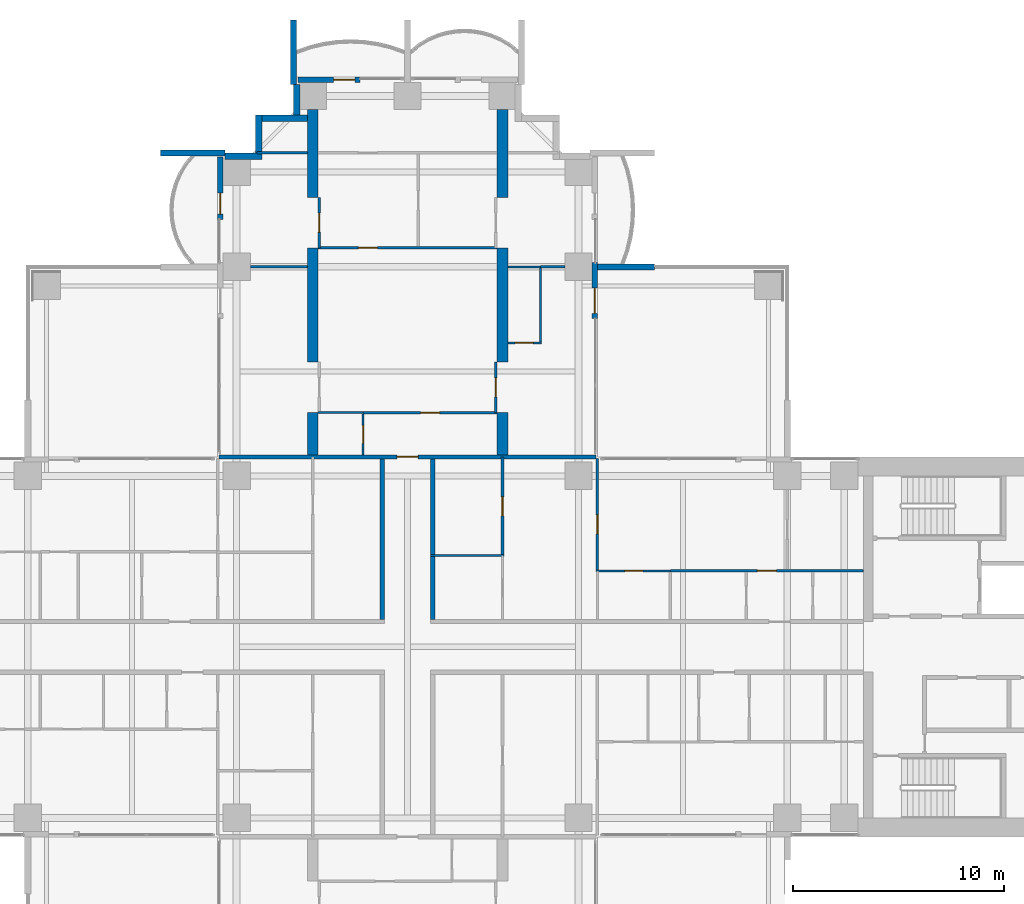
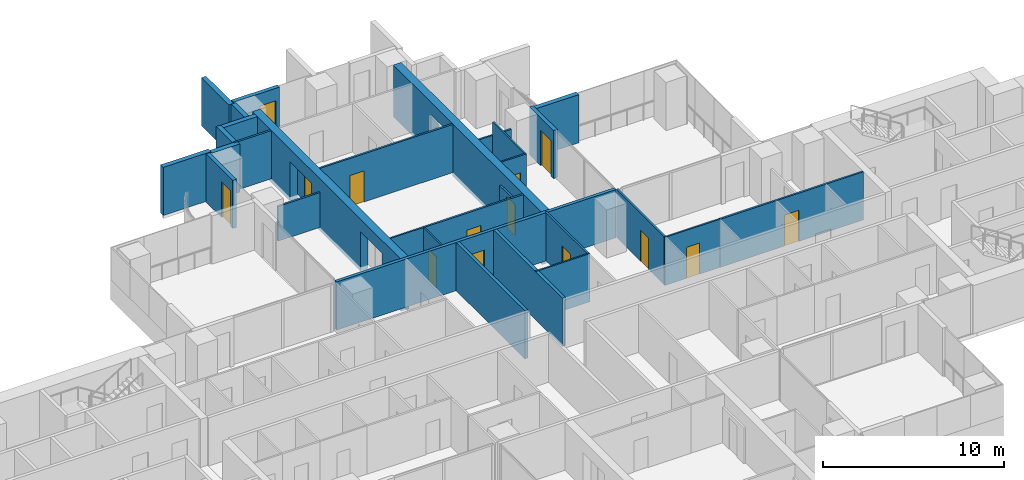
# One storey, part 14 of 20: 32 walls, 14 doors, 14 openings.
"""IFC4 building model written with IfcOpenShell, lengths in metres."""

from ifc_helpers import new_model, si_unit, direction, frame, frame_2d, origin, place, context, subcontext, project, spatial, polyline, rectangle, outline, extrude, material, layer, layer_set, material_profile, profile_set, type_object, element, fill, save


model = new_model("IFC4")

# Units and contexts
model_context = context("Model", 3, precision=1e-05, world=origin(), true_north=direction((0.0, 1.0)))
body_context = subcontext(model_context, "Body", "Model", "MODEL_VIEW")
ifc_project = project(units=[si_unit("LENGTHUNIT", "METRE"), si_unit("AREAUNIT", "SQUARE_METRE"), si_unit("VOLUMEUNIT", "CUBIC_METRE"), si_unit("PLANEANGLEUNIT", "RADIAN"), si_unit("MASSUNIT", "GRAM", prefix="KILO")], contexts=[model_context])

# Site, building, storey
site_placement = place(None, origin())
site = spatial("IfcSite", under=ifc_project, at=site_placement, CompositionType="ELEMENT")
building_placement = place(site_placement, origin())
building = spatial("IfcBuilding", under=site, at=building_placement, Name="Perihelion Cross Residences", CompositionType="ELEMENT")
storey_placement = place(building_placement, frame((0.0, 0.0, 71.5)))
storey = spatial("IfcBuildingStorey", under=building, at=storey_placement, Name="L15", CompositionType="ELEMENT", Elevation=71.5)

# Walls
ifc_material_1 = material(Name="Plasterboard partition")
ifc_layer_1 = layer(ifc_material_1, 0.199951171875)
ifc_layer_set_1 = layer_set([ifc_layer_1], Name="Apartment separation wall 200")
wall_type_1 = type_object("IfcWallType", Name="Apartment separation wall 200", PredefinedType="PARTITIONING", material=ifc_layer_set_1)
for number, where, z_axis, x_axis, name in (
    (1, (1.199951171875, 8.89990234375, 0.0), (0.0, 0.0, 1.0), (0.0, -1.0, 0.0), "Partition L15 W002"),
    (2, (-1.199951171875, 1.300048828125, 0.0), (0.0, 0.0, 1.0), (0.0, 1.0, 0.0), "Partition L15 W006"),
):
    element("IfcWall", number, at=place(storey_placement, frame(where, z_axis=z_axis, x_axis=x_axis)), inside=storey, type_object=wall_type_1, Name=name, PredefinedType="PARTITIONING", context=body_context, shape_type="SweptSolid", body=[
        extrude(rectangle(XDim=7.599853515625, YDim=0.199951171875, at=frame_2d((3.7998046875, 0.0))), origin(), (0.0, 0.0, 1.0), 3.25),
    ])

# Wall, opening, door
wall_1_placement = place(storey_placement, frame((-8.919921875, 9.0, 0.0), z_axis=(0.0, 0.0, 1.0), x_axis=(1.0, 0.0, 0.0)))
wall_1 = element("IfcWall", 3, at=wall_1_placement, inside=storey, type_object=wall_type_1, Name="Partition L15 W009", PredefinedType="PARTITIONING", context=body_context, shape_type="SweptSolid", body=[
    extrude(rectangle(XDim=17.83984375, YDim=0.199951171875, at=frame_2d((8.919921875, 0.0))), origin(), (0.0, 0.0, 1.0), 3.25),
])
opening_1_placement = place(wall_1_placement, frame((8.419921875, 0.0, 0.0)))
opening_1 = element("IfcOpeningElement", 4, at=opening_1_placement, cuts=wall_1, Name="Opening L15.A32", PredefinedType="OPENING", context=body_context, shape_type="SweptSolid", body=[
    extrude(rectangle(XDim=1.0, YDim=2.10009765625, at=frame_2d((0.5, 1.050048828125))), frame((0.0, 0.10986328125, 0.0), z_axis=(0.0, -1.0, 0.0), x_axis=(1.0, 0.0, 0.0)), (0.0, 0.0, 1.0), 0.219970703125),
])
ifc_material_2 = material(Name="Timber door leaf", Category="wood")
door_type_1 = type_object("IfcDoorType", Name="Flat entrance door 1000 x 2100", OperationType="SINGLE_SWING_LEFT", PredefinedType="DOOR", material=ifc_material_2)
door_1_placement = place(opening_1_placement, origin())
door_1 = element("IfcDoor", 5, at=door_1_placement, inside=storey, type_object=door_type_1, Name="Door L15.A32", OperationType="SINGLE_SWING_RIGHT", OverallHeight=2.10009765625, OverallWidth=1.0, PredefinedType="DOOR", context=body_context, shape_type="SweptSolid", body=[
    extrude(rectangle(XDim=1.0, YDim=2.10009765625, at=frame_2d((0.5, 1.050048828125))), frame((0.0, 0.02490234375, 0.0), z_axis=(0.0, -1.0, 0.0), x_axis=(1.0, 0.0, 0.0)), (0.0, 0.0, 1.0), 0.050048828125),
])
fill(opening_1, door_1)

ifc_material_3 = material(Name="Concrete C30/37, bronze-clad", Category="concrete")
ifc_layer_2 = layer(ifc_material_3, 0.25)
ifc_layer_set_2 = layer_set([ifc_layer_2], Name="Bronze-clad pier wall 250")
wall_type_2 = type_object("IfcWallType", Name="Bronze-clad pier wall 250", PredefinedType="SOLIDWALL", material=ifc_layer_set_2)
wall_2_placement = place(storey_placement, frame((8.875, 15.550048828125, 0.0), z_axis=(0.0, 0.0, 1.0), x_axis=(0.0, 1.0, 0.0)))
wall_2 = element("IfcWall", 6, at=wall_2_placement, inside=storey, type_object=wall_type_2, Name="Wall FW1 L15 north side east bay 1 pier", PredefinedType="SOLIDWALL", context=body_context, shape_type="SweptSolid", body=[
    extrude(rectangle(XDim=2.64990234375, YDim=0.25, at=frame_2d((1.324951171875, 0.0))), origin(), (0.0, 0.0, 1.0), 3.25),
])
opening_2_placement = place(wall_2_placement, frame((0.25, 0.0, 0.0)))
opening_2 = element("IfcOpeningElement", 7, at=opening_2_placement, cuts=wall_2, Name="Opening L15.E02", PredefinedType="OPENING", context=body_context, shape_type="SweptSolid", body=[
    extrude(rectangle(XDim=1.199951171875, YDim=2.39990234375, at=frame_2d((0.60009765625, 1.199951171875))), frame((0.0, 0.135009765625, 0.0), z_axis=(0.0, -1.0, 0.0), x_axis=(1.0, 0.0, 0.0)), (0.0, 0.0, 1.0), 0.27001953125),
])
ifc_material_4 = material(Name="Bronze anodised aluminium, glazed", Category="aluminium")
door_type_2 = type_object("IfcDoorType", Name="Balcony door 1200 x 2400", OperationType="NOTDEFINED", PredefinedType="DOOR", material=ifc_material_4)
door_2_placement = place(opening_2_placement, origin())
door_2 = element("IfcDoor", 8, at=door_2_placement, inside=storey, type_object=door_type_2, Name="Door L15.E02 north side east bay 1", OperationType="SINGLE_SWING_LEFT", OverallHeight=2.39990234375, OverallWidth=1.199951171875, PredefinedType="DOOR", context=body_context, shape_type="SweptSolid", body=[
    extrude(rectangle(XDim=1.199951171875, YDim=2.39990234375, at=frame_2d((0.60009765625, 1.199951171875))), frame((0.0, 0.02490234375, 0.0), z_axis=(0.0, -1.0, 0.0), x_axis=(1.0, 0.0, 0.0)), (0.0, 0.0, 1.0), 0.050048828125),
])
fill(opening_2, door_2)

wall_3_placement = place(storey_placement, frame((-2.25, 26.875, 0.0), z_axis=(0.0, 0.0, 1.0), x_axis=(-1.0, 0.0, 0.0)))
wall_3 = element("IfcWall", 9, at=wall_3_placement, inside=storey, type_object=wall_type_2, Name="Wall FW1 L15 north tip north bay 2 pier", PredefinedType="SOLIDWALL", context=body_context, shape_type="SweptSolid", body=[
    extrude(rectangle(XDim=2.949951171875, YDim=0.25, at=frame_2d((1.47509765625, 0.0))), origin(), (0.0, 0.0, 1.0), 3.25),
])
opening_3_placement = place(wall_3_placement, frame((0.25, 0.0, 0.0)))
opening_3 = element("IfcOpeningElement", 10, at=opening_3_placement, cuts=wall_3, Name="Opening L15.E05", PredefinedType="OPENING", context=body_context, shape_type="SweptSolid", body=[
    extrude(rectangle(XDim=1.0, YDim=2.39990234375, at=frame_2d((0.5, 1.199951171875))), frame((0.0, 0.135009765625, 0.0), z_axis=(0.0, -1.0, 0.0), x_axis=(1.0, 0.0, 0.0)), (0.0, 0.0, 1.0), 0.27001953125),
])
ifc_material_5 = material(Name="Bronze anodised aluminium, glazed", Category="aluminium")
door_type_3 = type_object("IfcDoorType", Name="Balcony door 1000 x 2400", OperationType="NOTDEFINED", PredefinedType="DOOR", material=ifc_material_5)
door_3_placement = place(opening_3_placement, origin())
door_3 = element("IfcDoor", 11, at=door_3_placement, inside=storey, type_object=door_type_3, Name="Door L15.E05 north tip north bay 2", OperationType="SINGLE_SWING_RIGHT", OverallHeight=2.39990234375, OverallWidth=1.0, PredefinedType="DOOR", context=body_context, shape_type="SweptSolid", body=[
    extrude(rectangle(XDim=1.0, YDim=2.39990234375, at=frame_2d((0.5, 1.199951171875))), frame((0.0, 0.02490234375, 0.0), z_axis=(0.0, -1.0, 0.0), x_axis=(1.0, 0.0, 0.0)), (0.0, 0.0, 1.0), 0.050048828125),
])
fill(opening_3, door_3)

wall_4_placement = place(storey_placement, frame((-8.875, 23.199951171875, 0.0), z_axis=(0.0, 0.0, 1.0), x_axis=(0.0, -1.0, 0.0)))
wall_4 = element("IfcWall", 12, at=wall_4_placement, inside=storey, type_object=wall_type_2, Name="Wall FW1 L15 north side west bay 1 pier", PredefinedType="SOLIDWALL", context=body_context, shape_type="SweptSolid", body=[
    extrude(rectangle(XDim=2.949951171875, YDim=0.25, at=frame_2d((1.47509765625, 0.0))), origin(), (0.0, 0.0, 1.0), 3.25),
])
opening_4_placement = place(wall_4_placement, frame((1.699951171875, 0.0, 0.0)))
opening_4 = element("IfcOpeningElement", 13, at=opening_4_placement, cuts=wall_4, Name="Opening L15.E06", PredefinedType="OPENING", context=body_context, shape_type="SweptSolid", body=[
    extrude(rectangle(XDim=1.0, YDim=2.39990234375, at=frame_2d((0.5, 1.199951171875))), frame((0.0, 0.135009765625, 0.0), z_axis=(0.0, -1.0, 0.0), x_axis=(1.0, 0.0, 0.0)), (0.0, 0.0, 1.0), 0.27001953125),
])
door_4_placement = place(opening_4_placement, origin())
door_4 = element("IfcDoor", 14, at=door_4_placement, inside=storey, type_object=door_type_3, Name="Door L15.E06 north side west bay 1", OperationType="SINGLE_SWING_LEFT", OverallHeight=2.39990234375, OverallWidth=1.0, PredefinedType="DOOR", context=body_context, shape_type="SweptSolid", body=[
    extrude(rectangle(XDim=1.0, YDim=2.39990234375, at=frame_2d((0.5, 1.199951171875))), frame((0.0, 0.02490234375, 0.0), z_axis=(0.0, -1.0, 0.0), x_axis=(1.0, 0.0, 0.0)), (0.0, 0.0, 1.0), 0.050048828125),
])
fill(opening_4, door_4)

# Walls
ifc_material_6 = material(Name="Concrete C30/37, bronze-clad", Category="concrete")
ifc_layer_3 = layer(ifc_material_6, 0.300048828125)
ifc_layer_set_3 = layer_set([ifc_layer_3], Name="Bronze-clad serration wall 300")
wall_type_3 = type_object("IfcWallType", Name="Bronze-clad serration wall 300", PredefinedType="SOLIDWALL", material=ifc_layer_set_3)
wall_5_placement = place(storey_placement, frame((-5.25, 26.64990234375, 0.0), z_axis=(0.0, 0.0, 1.0), x_axis=(0.0, -1.0, 0.0)))
element("IfcWall", 15, at=wall_5_placement, inside=storey, type_object=wall_type_3, Name="Wall SR1 L15 north corner north-west 1", PredefinedType="SOLIDWALL", context=body_context, shape_type="SweptSolid", body=[
    extrude(rectangle(XDim=1.449951171875, YDim=0.300048828125, at=frame_2d((0.72509765625, 0.0))), origin(), (0.0, 0.0, 1.0), 3.25),
])
wall_6_placement = place(storey_placement, frame((-4.75, 25.050048828125, 0.0), z_axis=(0.0, 0.0, 1.0), x_axis=(-1.0, 0.0, 0.0)))
element("IfcWall", 16, at=wall_6_placement, inside=storey, type_object=wall_type_3, Name="Wall SR1 L15 north corner north-west 2", PredefinedType="SOLIDWALL", context=body_context, shape_type="SweptSolid", body=[
    extrude(rectangle(XDim=2.14990234375, YDim=0.300048828125, at=frame_2d((1.074951171875, 0.0))), origin(), (0.0, 0.0, 1.0), 3.25),
])
wall_7_placement = place(storey_placement, frame((-7.050048828125, 25.199951171875, 0.0), z_axis=(0.0, 0.0, 1.0), x_axis=(0.0, -1.0, 0.0)))
element("IfcWall", 17, at=wall_7_placement, inside=storey, type_object=wall_type_3, Name="Wall SR1 L15 north corner north-west 3", PredefinedType="SOLIDWALL", context=body_context, shape_type="SweptSolid", body=[
    extrude(rectangle(XDim=1.800048828125, YDim=0.300048828125, at=frame_2d((0.89990234375, 0.0))), origin(), (0.0, 0.0, 1.0), 3.25),
])
wall_8_placement = place(storey_placement, frame((-6.89990234375, 23.25, 0.0), z_axis=(0.0, 0.0, 1.0), x_axis=(-1.0, 0.0, 0.0)))
element("IfcWall", 18, at=wall_8_placement, inside=storey, type_object=wall_type_3, Name="Wall SR1 L15 north corner north-west 4", PredefinedType="SOLIDWALL", context=body_context, shape_type="SweptSolid", body=[
    extrude(rectangle(XDim=1.75, YDim=0.300048828125, at=frame_2d((0.875, 0.0))), origin(), (0.0, 0.0, 1.0), 3.25),
])

# Wall, opening, door
ifc_material_7 = material(Name="Plasterboard partition")
ifc_layer_4 = layer(ifc_material_7, 0.1201171875)
ifc_layer_set_4 = layer_set([ifc_layer_4], Name="Infill panel 120")
wall_type_4 = type_object("IfcWallType", Name="Infill panel 120", PredefinedType="PARTITIONING", material=ifc_layer_set_4)
wall_9_placement = place(storey_placement, frame((4.18994140625, 11.10009765625, 0.0), z_axis=(0.0, 0.0, 1.0), x_axis=(0.0, 1.0, 0.0)))
wall_9 = element("IfcWall", 19, at=wall_9_placement, inside=storey, type_object=wall_type_4, Name="Partition L15 WI01", PredefinedType="PARTITIONING", context=body_context, shape_type="SweptSolid", body=[
    extrude(rectangle(XDim=2.39990234375, YDim=0.1201171875, at=frame_2d((1.199951171875, 0.0))), origin(), (0.0, 0.0, 1.0), 2.39990234375),
])
opening_5_placement = place(wall_9_placement, frame((0.75, 0.0, 0.0)))
opening_5 = element("IfcOpeningElement", 20, at=opening_5_placement, cuts=wall_9, Name="Opening L15.A50", PredefinedType="OPENING", context=body_context, shape_type="SweptSolid", body=[
    extrude(rectangle(XDim=0.89990234375, YDim=2.10009765625, at=frame_2d((0.449951171875, 1.050048828125))), frame((0.0, 0.070068359375, 0.0), z_axis=(0.0, -1.0, 0.0), x_axis=(1.0, 0.0, 0.0)), (0.0, 0.0, 1.0), 0.14013671875),
])
ifc_material_8 = material(Name="Timber door leaf", Category="wood")
door_type_4 = type_object("IfcDoorType", Name="Interior room door 900 x 2100", OperationType="SINGLE_SWING_LEFT", PredefinedType="DOOR", material=ifc_material_8)
door_5_placement = place(opening_5_placement, origin())
door_5 = element("IfcDoor", 21, at=door_5_placement, inside=storey, type_object=door_type_4, Name="Door L15.A50", OperationType="SINGLE_SWING_RIGHT", OverallHeight=2.10009765625, OverallWidth=0.89990234375, PredefinedType="DOOR", context=body_context, shape_type="SweptSolid", body=[
    extrude(rectangle(XDim=0.89990234375, YDim=2.10009765625, at=frame_2d((0.449951171875, 1.050048828125))), frame((0.0, 0.02490234375, 0.0), z_axis=(0.0, -1.0, 0.0), x_axis=(1.0, 0.0, 0.0)), (0.0, 0.0, 1.0), 0.050048828125),
])
fill(opening_5, door_5)

wall_10_placement = place(storey_placement, frame((-4.18994140625, 18.89990234375, 0.0), z_axis=(0.0, 0.0, 1.0), x_axis=(0.0, 1.0, 0.0)))
wall_10 = element("IfcWall", 22, at=wall_10_placement, inside=storey, type_object=wall_type_4, Name="Partition L15 WI04", PredefinedType="PARTITIONING", context=body_context, shape_type="SweptSolid", body=[
    extrude(rectangle(XDim=2.400146484375, YDim=0.1201171875, at=frame_2d((1.2001953125, 0.0))), origin(), (0.0, 0.0, 1.0), 2.39990234375),
])
opening_6_placement = place(wall_10_placement, frame((0.75, 0.0, 0.0)))
opening_6 = element("IfcOpeningElement", 23, at=opening_6_placement, cuts=wall_10, Name="Opening L15.A53", PredefinedType="OPENING", context=body_context, shape_type="SweptSolid", body=[
    extrude(rectangle(XDim=0.89990234375, YDim=2.10009765625, at=frame_2d((0.449951171875, 1.050048828125))), frame((0.0, 0.070068359375, 0.0), z_axis=(0.0, -1.0, 0.0), x_axis=(1.0, 0.0, 0.0)), (0.0, 0.0, 1.0), 0.14013671875),
])
door_6_placement = place(opening_6_placement, origin())
door_6 = element("IfcDoor", 24, at=door_6_placement, inside=storey, type_object=door_type_4, Name="Door L15.A53", OperationType="SINGLE_SWING_RIGHT", OverallHeight=2.10009765625, OverallWidth=0.89990234375, PredefinedType="DOOR", context=body_context, shape_type="SweptSolid", body=[
    extrude(rectangle(XDim=0.89990234375, YDim=2.10009765625, at=frame_2d((0.449951171875, 1.050048828125))), frame((0.0, 0.02490234375, 0.0), z_axis=(0.0, -1.0, 0.0), x_axis=(1.0, 0.0, 0.0)), (0.0, 0.0, 1.0), 0.050048828125),
])
fill(opening_6, door_6)

ifc_material_9 = material(Name="Plasterboard partition")
ifc_layer_5 = layer(ifc_material_9, 0.1201171875)
ifc_layer_set_5 = layer_set([ifc_layer_5], Name="Partition wall 120")
wall_type_5 = type_object("IfcWallType", Name="Partition wall 120", PredefinedType="PARTITIONING", material=ifc_layer_set_5)
wall_11_placement = place(storey_placement, frame((12.449951171875, 3.60009765625, 0.0), z_axis=(0.0, 0.0, 1.0), x_axis=(1.0, 0.0, 0.0)))
wall_11 = element("IfcWall", 25, at=wall_11_placement, inside=storey, type_object=wall_type_5, Name="Partition L15 W015", PredefinedType="PARTITIONING", context=body_context, shape_type="SweptSolid", body=[
    extrude(rectangle(XDim=9.150146484375, YDim=0.1201171875, at=frame_2d((4.5751953125, 0.0))), origin(), (0.0, 0.0, 1.0), 3.25),
])
opening_7_placement = place(wall_11_placement, frame((4.125, 0.0, 0.0)))
opening_7 = element("IfcOpeningElement", 26, at=opening_7_placement, cuts=wall_11, Name="Opening L15.A03", PredefinedType="OPENING", context=body_context, shape_type="SweptSolid", body=[
    extrude(rectangle(XDim=0.89990234375, YDim=2.10009765625, at=frame_2d((0.449951171875, 1.050048828125))), frame((0.0, 0.070068359375, 0.0), z_axis=(0.0, -1.0, 0.0), x_axis=(1.0, 0.0, 0.0)), (0.0, 0.0, 1.0), 0.14013671875),
])
door_7_placement = place(opening_7_placement, origin())
door_7 = element("IfcDoor", 27, at=door_7_placement, inside=storey, type_object=door_type_4, Name="Door L15.A03", OperationType="SINGLE_SWING_LEFT", OverallHeight=2.10009765625, OverallWidth=0.89990234375, PredefinedType="DOOR", context=body_context, shape_type="SweptSolid", body=[
    extrude(rectangle(XDim=0.89990234375, YDim=2.10009765625, at=frame_2d((0.449951171875, 1.050048828125))), frame((0.0, 0.02490234375, 0.0), z_axis=(0.0, -1.0, 0.0), x_axis=(1.0, 0.0, 0.0)), (0.0, 0.0, 1.0), 0.050048828125),
])
fill(opening_7, door_7)

wall_12_placement = place(storey_placement, frame((9.0, 3.60009765625, 0.0), z_axis=(0.0, 0.0, 1.0), x_axis=(0.0, 1.0, 0.0)))
wall_12 = element("IfcWall", 28, at=wall_12_placement, inside=storey, type_object=wall_type_5, Name="Partition L15 W018", PredefinedType="PARTITIONING", context=body_context, shape_type="SweptSolid", body=[
    extrude(rectangle(XDim=5.31982421875, YDim=0.1201171875, at=frame_2d((2.659912109375, 0.0))), origin(), (0.0, 0.0, 1.0), 3.25),
])
opening_8_placement = place(wall_12_placement, frame((1.75, 0.0, 0.0)))
opening_8 = element("IfcOpeningElement", 29, at=opening_8_placement, cuts=wall_12, Name="Opening L15.A05", PredefinedType="OPENING", context=body_context, shape_type="SweptSolid", body=[
    extrude(rectangle(XDim=0.89990234375, YDim=2.10009765625, at=frame_2d((0.449951171875, 1.050048828125))), frame((0.0, 0.070068359375, 0.0), z_axis=(0.0, -1.0, 0.0), x_axis=(1.0, 0.0, 0.0)), (0.0, 0.0, 1.0), 0.14013671875),
])
door_8_placement = place(opening_8_placement, origin())
door_8 = element("IfcDoor", 30, at=door_8_placement, inside=storey, type_object=door_type_4, Name="Door L15.A05", OperationType="SINGLE_SWING_RIGHT", OverallHeight=2.10009765625, OverallWidth=0.89990234375, PredefinedType="DOOR", context=body_context, shape_type="SweptSolid", body=[
    extrude(rectangle(XDim=0.89990234375, YDim=2.10009765625, at=frame_2d((0.449951171875, 1.050048828125))), frame((0.0, 0.02490234375, 0.0), z_axis=(0.0, -1.0, 0.0), x_axis=(1.0, 0.0, 0.0)), (0.0, 0.0, 1.0), 0.050048828125),
])
fill(opening_8, door_8)

wall_13_placement = place(storey_placement, frame((4.5, 4.320068359375, 0.0), z_axis=(0.0, 0.0, 1.0), x_axis=(0.0, 1.0, 0.0)))
wall_13 = element("IfcWall", 31, at=wall_13_placement, inside=storey, type_object=wall_type_5, Name="Partition L15 W020", PredefinedType="PARTITIONING", context=body_context, shape_type="SweptSolid", body=[
    extrude(rectangle(XDim=4.679931640625, YDim=0.1201171875, at=frame_2d((2.33984375, 0.0))), origin(), (0.0, 0.0, 1.0), 3.25),
])
opening_9_placement = place(wall_13_placement, frame((1.889892578125, 0.0, 0.0)))
opening_9 = element("IfcOpeningElement", 32, at=opening_9_placement, cuts=wall_13, Name="Opening L15.A06", PredefinedType="OPENING", context=body_context, shape_type="SweptSolid", body=[
    extrude(rectangle(XDim=0.89990234375, YDim=2.10009765625, at=frame_2d((0.449951171875, 1.050048828125))), frame((0.0, 0.070068359375, 0.0), z_axis=(0.0, -1.0, 0.0), x_axis=(1.0, 0.0, 0.0)), (0.0, 0.0, 1.0), 0.14013671875),
])
door_9_placement = place(opening_9_placement, origin())
door_9 = element("IfcDoor", 33, at=door_9_placement, inside=storey, type_object=door_type_4, Name="Door L15.A06", OperationType="SINGLE_SWING_LEFT", OverallHeight=2.10009765625, OverallWidth=0.89990234375, PredefinedType="DOOR", context=body_context, shape_type="SweptSolid", body=[
    extrude(rectangle(XDim=0.89990234375, YDim=2.10009765625, at=frame_2d((0.449951171875, 1.050048828125))), frame((0.0, 0.02490234375, 0.0), z_axis=(0.0, -1.0, 0.0), x_axis=(1.0, 0.0, 0.0)), (0.0, 0.0, 1.0), 0.050048828125),
])
fill(opening_9, door_9)

wall_14_placement = place(storey_placement, frame((-2.10009765625, 11.10009765625, 0.0), z_axis=(0.0, 0.0, 1.0), x_axis=(1.0, 0.0, 0.0)))
wall_14 = element("IfcWall", 34, at=wall_14_placement, inside=storey, type_object=wall_type_5, Name="Partition L15 W054", PredefinedType="PARTITIONING", context=body_context, shape_type="SweptSolid", body=[
    extrude(rectangle(XDim=6.35009765625, YDim=0.1201171875, at=frame_2d((3.175048828125, 0.0))), origin(), (0.0, 0.0, 1.0), 3.25),
])
opening_10_placement = place(wall_14_placement, frame((2.72509765625, 0.0, 0.0)))
opening_10 = element("IfcOpeningElement", 35, at=opening_10_placement, cuts=wall_14, Name="Opening L15.A34", PredefinedType="OPENING", context=body_context, shape_type="SweptSolid", body=[
    extrude(rectangle(XDim=0.89990234375, YDim=2.10009765625, at=frame_2d((0.449951171875, 1.050048828125))), frame((0.0, 0.070068359375, 0.0), z_axis=(0.0, -1.0, 0.0), x_axis=(1.0, 0.0, 0.0)), (0.0, 0.0, 1.0), 0.14013671875),
])
door_10_placement = place(opening_10_placement, origin())
door_10 = element("IfcDoor", 36, at=door_10_placement, inside=storey, type_object=door_type_4, Name="Door L15.A34", OperationType="SINGLE_SWING_RIGHT", OverallHeight=2.10009765625, OverallWidth=0.89990234375, PredefinedType="DOOR", context=body_context, shape_type="SweptSolid", body=[
    extrude(rectangle(XDim=0.89990234375, YDim=2.10009765625, at=frame_2d((0.449951171875, 1.050048828125))), frame((0.0, 0.02490234375, 0.0), z_axis=(0.0, -1.0, 0.0), x_axis=(1.0, 0.0, 0.0)), (0.0, 0.0, 1.0), 0.050048828125),
])
fill(opening_10, door_10)

wall_15_placement = place(storey_placement, frame((-4.25, 18.89990234375, 0.0), z_axis=(0.0, 0.0, 1.0), x_axis=(1.0, 0.0, 0.0)))
wall_15 = element("IfcWall", 37, at=wall_15_placement, inside=storey, type_object=wall_type_5, Name="Partition L15 W056", PredefinedType="PARTITIONING", context=body_context, shape_type="SweptSolid", body=[
    extrude(rectangle(XDim=8.5, YDim=0.1201171875, at=frame_2d((4.25, 0.0))), origin(), (0.0, 0.0, 1.0), 3.25),
])
opening_11_placement = place(wall_15_placement, frame((1.925048828125, 0.0, 0.0)))
opening_11 = element("IfcOpeningElement", 38, at=opening_11_placement, cuts=wall_15, Name="Opening L15.A35", PredefinedType="OPENING", context=body_context, shape_type="SweptSolid", body=[
    extrude(rectangle(XDim=0.89990234375, YDim=2.10009765625, at=frame_2d((0.449951171875, 1.050048828125))), frame((0.0, 0.070068359375, 0.0), z_axis=(0.0, -1.0, 0.0), x_axis=(1.0, 0.0, 0.0)), (0.0, 0.0, 1.0), 0.14013671875),
])
door_11_placement = place(opening_11_placement, origin())
door_11 = element("IfcDoor", 39, at=door_11_placement, inside=storey, type_object=door_type_4, Name="Door L15.A35", OperationType="SINGLE_SWING_RIGHT", OverallHeight=2.10009765625, OverallWidth=0.89990234375, PredefinedType="DOOR", context=body_context, shape_type="SweptSolid", body=[
    extrude(rectangle(XDim=0.89990234375, YDim=2.10009765625, at=frame_2d((0.449951171875, 1.050048828125))), frame((0.0, 0.02490234375, 0.0), z_axis=(0.0, -1.0, 0.0), x_axis=(1.0, 0.0, 0.0)), (0.0, 0.0, 1.0), 0.050048828125),
])
fill(opening_11, door_11)

# Walls
wall_16_placement = place(storey_placement, frame((6.300048828125, 18.0, 0.0), z_axis=(0.0, 0.0, 1.0), x_axis=(1.0, 0.0, 0.0)))
element("IfcWall", 40, at=wall_16_placement, inside=storey, type_object=wall_type_5, Name="Partition L15 W061", PredefinedType="PARTITIONING", context=body_context, shape_type="SweptSolid", body=[
    extrude(rectangle(XDim=1.14990234375, YDim=0.1201171875, at=frame_2d((0.574951171875, 0.0))), origin(), (0.0, 0.0, 1.0), 2.345947265625),
])
wall_17_placement = place(storey_placement, frame((-7.449951171875, 18.0, 0.0), z_axis=(0.0, 0.0, 1.0), x_axis=(1.0, 0.0, 0.0)))
element("IfcWall", 41, at=wall_17_placement, inside=storey, type_object=wall_type_5, Name="Partition L15 W064", PredefinedType="PARTITIONING", context=body_context, shape_type="SweptSolid", body=[
    extrude(rectangle(XDim=2.699951171875, YDim=0.1201171875, at=frame_2d((1.35009765625, 0.0))), origin(), (0.0, 0.0, 1.0), 2.345947265625),
])
wall_18_placement = place(storey_placement, frame((-7.1201171875, 23.39990234375, 0.0), z_axis=(0.0, 0.0, 1.0), x_axis=(1.0, 0.0, 0.0)))
element("IfcWall", 42, at=wall_18_placement, inside=storey, type_object=wall_type_5, Name="Partition L15 W065", PredefinedType="PARTITIONING", context=body_context, shape_type="SweptSolid", body=[
    extrude(rectangle(XDim=2.3701171875, YDim=0.1201171875, at=frame_2d((1.18505859375, 0.0))), origin(), (0.0, 0.0, 1.0), 3.25),
])
ifc_material_10 = material(Name="Precast concrete C50/60", Category="concrete")
ifc_layer_6 = layer(ifc_material_10, 0.300048828125)
ifc_layer_set_6 = layer_set([ifc_layer_6], Name="Precast concrete C50/60 blade wall 300")
wall_type_6 = type_object("IfcWallType", Name="Precast concrete C50/60 blade wall 300", PredefinedType="SOLIDWALL", material=ifc_layer_set_6)
for number, where, z_axis, x_axis, name in (
    (43, (-8.64990234375, 23.39990234375, 0.0), (0.0, 0.0, 1.0), (-1.0, 0.0, 0.0), "Wall BL1 L15 no. 8"),
    (44, (-5.39990234375, 26.64990234375, 0.0), (0.0, 0.0, 1.0), (0.0, 1.0, 0.0), "Wall BL1 L15 no. 4"),
):
    element("IfcWall", number, at=place(storey_placement, frame(where, z_axis=z_axis, x_axis=x_axis)), inside=storey, type_object=wall_type_6, Name=name, PredefinedType="SOLIDWALL", context=body_context, shape_type="SweptSolid", body=[
        extrude(rectangle(XDim=3.050048828125, YDim=0.300048828125, at=frame_2d((1.52490234375, 0.0))), origin(), (0.0, 0.0, 1.0), 3.25),
    ])
wall_19_placement = place(storey_placement, frame((8.75, 18.0, 0.0), z_axis=(0.0, 0.0, 1.0), x_axis=(1.0, 0.0, 0.0)))
element("IfcWall", 45, at=wall_19_placement, inside=storey, type_object=wall_type_6, Name="Wall BL1 L15 no. 17", PredefinedType="SOLIDWALL", context=body_context, shape_type="SweptSolid", body=[
    extrude(rectangle(XDim=2.949951171875, YDim=0.300048828125, at=frame_2d((1.47509765625, 0.0))), origin(), (0.0, 0.0, 1.0), 3.25),
])
ifc_material_11 = material(Name="Concrete C60/75", Category="concrete")
ifc_material_profile = material_profile(ifc_material_11, outline(polyline([(0.0, 0.0), (2.10009765625, 0.0), (2.10009765625, 2.64990234375), (4.5, 2.64990234375), (4.5, 0.0), (9.89990234375, 0.0), (9.89990234375, 2.64990234375), (12.300048828125, 2.64990234375), (12.300048828125, 0.0), (16.449951171875, 0.0), (16.449951171875, 3.5), (0.0, 3.5), (0.0, 0.0)])), Name="Tip spine wall")
ifc_profile_set = profile_set([ifc_material_profile], Name="Concrete C60/75")
wall_type_7 = type_object("IfcWallType", Name="Tip spine wall 500 with 2 door openings 16450 long 3500 high concrete C60/75 hand B", PredefinedType="SHEAR", material=ifc_profile_set)
for number, where, z_axis, x_axis, name in (
    (46, (-4.75, 9.0, -0.25), (1.0, 0.0, 0.0), (0.0, 1.0, 0.0), "Shear wall SW23 L15 north west"),
    (47, (4.25, 9.0, -0.25), (1.0, 0.0, 0.0), (0.0, 1.0, 0.0), "Shear wall SW23 L15 north east"),
):
    element("IfcWall", number, at=place(storey_placement, frame(where, z_axis=z_axis, x_axis=x_axis)), inside=storey, type_object=wall_type_7, Name=name, PredefinedType="SHEAR", context=body_context, shape_type="SweptSolid", body=[
        extrude(outline(polyline([(0.0, 0.0), (2.10009765625, 0.0), (2.10009765625, 2.64990234375), (4.5, 2.64990234375), (4.5, 0.0), (9.89990234375, 0.0), (9.89990234375, 2.64990234375), (12.300048828125, 2.64990234375), (12.300048828125, 0.0), (16.449951171875, 0.0), (16.449951171875, 3.5), (0.0, 3.5), (0.0, 0.0)])), origin(), (0.0, 0.0, 1.0), 0.5),
    ])

# Wall, opening, door
ifc_material_12 = material(Name="Plasterboard partition")
ifc_layer_7 = layer(ifc_material_12, 0.10009765625)
ifc_layer_set_7 = layer_set([ifc_layer_7], Name="Wet room wall 100")
wall_type_8 = type_object("IfcWallType", Name="Wet room wall 100", PredefinedType="PARTITIONING", material=ifc_layer_set_7)
wall_20_placement = place(storey_placement, frame((8.93994140625, 3.60009765625, 0.0), z_axis=(0.0, 0.0, 1.0), x_axis=(1.0, 0.0, 0.0)))
wall_20 = element("IfcWall", 48, at=wall_20_placement, inside=storey, type_object=wall_type_8, Name="Partition L15 W012", PredefinedType="PARTITIONING", context=body_context, shape_type="SweptSolid", body=[
    extrude(rectangle(XDim=3.510009765625, YDim=0.10009765625, at=frame_2d((1.7548828125, 0.0))), origin(), (0.0, 0.0, 1.0), 3.25),
])
opening_12_placement = place(wall_20_placement, frame((1.360107421875, 0.0, 0.0)))
opening_12 = element("IfcOpeningElement", 49, at=opening_12_placement, cuts=wall_20, Name="Opening L15.A08", PredefinedType="OPENING", context=body_context, shape_type="SweptSolid", body=[
    extrude(rectangle(XDim=0.85009765625, YDim=2.10009765625, at=frame_2d((0.425048828125, 1.050048828125))), frame((0.0, 0.06005859375, 0.0), z_axis=(0.0, -1.0, 0.0), x_axis=(1.0, 0.0, 0.0)), (0.0, 0.0, 1.0), 0.1201171875),
])
ifc_material_13 = material(Name="Timber door leaf", Category="wood")
door_type_5 = type_object("IfcDoorType", Name="Interior bathroom door 850 x 2100", OperationType="SINGLE_SWING_LEFT", PredefinedType="DOOR", material=ifc_material_13)
door_12_placement = place(opening_12_placement, origin())
door_12 = element("IfcDoor", 50, at=door_12_placement, inside=storey, type_object=door_type_5, Name="Door L15.A08", OperationType="SINGLE_SWING_LEFT", OverallHeight=2.10009765625, OverallWidth=0.85009765625, PredefinedType="DOOR", context=body_context, shape_type="SweptSolid", body=[
    extrude(rectangle(XDim=0.85009765625, YDim=2.10009765625, at=frame_2d((0.425048828125, 1.050048828125))), frame((0.0, 0.02490234375, 0.0), z_axis=(0.0, -1.0, 0.0), x_axis=(1.0, 0.0, 0.0)), (0.0, 0.0, 1.0), 0.050048828125),
])
fill(opening_12, door_12)

# Wall
wall_21_placement = place(storey_placement, frame((1.10009765625, 4.320068359375, 0.0), z_axis=(0.0, 0.0, 1.0), x_axis=(1.0, 0.0, 0.0)))
element("IfcWall", 51, at=wall_21_placement, inside=storey, type_object=wall_type_8, Name="Partition L15 W021", PredefinedType="PARTITIONING", context=body_context, shape_type="SweptSolid", body=[
    extrude(rectangle(XDim=3.4599609375, YDim=0.10009765625, at=frame_2d((1.72998046875, 0.0))), origin(), (0.0, 0.0, 1.0), 3.25),
])

# Wall, opening, door
wall_22_placement = place(storey_placement, frame((-2.10009765625, 9.10009765625, 0.0), z_axis=(0.0, 0.0, 1.0), x_axis=(0.0, 1.0, 0.0)))
wall_22 = element("IfcWall", 52, at=wall_22_placement, inside=storey, type_object=wall_type_8, Name="Partition L15 W053", PredefinedType="PARTITIONING", context=body_context, shape_type="SweptSolid", body=[
    extrude(rectangle(XDim=1.93994140625, YDim=0.10009765625, at=frame_2d((0.969970703125, 0.0))), origin(), (0.0, 0.0, 1.0), 3.25),
])
opening_13_placement = place(wall_22_placement, frame((0.544921875, 0.0, 0.0)))
opening_13 = element("IfcOpeningElement", 53, at=opening_13_placement, cuts=wall_22, Name="Opening L15.A33", PredefinedType="OPENING", context=body_context, shape_type="SweptSolid", body=[
    extrude(rectangle(XDim=0.85009765625, YDim=2.10009765625, at=frame_2d((0.425048828125, 1.050048828125))), frame((0.0, 0.06005859375, 0.0), z_axis=(0.0, -1.0, 0.0), x_axis=(1.0, 0.0, 0.0)), (0.0, 0.0, 1.0), 0.1201171875),
])
door_13_placement = place(opening_13_placement, origin())
door_13 = element("IfcDoor", 54, at=door_13_placement, inside=storey, type_object=door_type_5, Name="Door L15.A33", OperationType="SINGLE_SWING_LEFT", OverallHeight=2.10009765625, OverallWidth=0.85009765625, PredefinedType="DOOR", context=body_context, shape_type="SweptSolid", body=[
    extrude(rectangle(XDim=0.85009765625, YDim=2.10009765625, at=frame_2d((0.425048828125, 1.050048828125))), frame((0.0, 0.02490234375, 0.0), z_axis=(0.0, -1.0, 0.0), x_axis=(1.0, 0.0, 0.0)), (0.0, 0.0, 1.0), 0.050048828125),
])
fill(opening_13, door_13)

# Wall
wall_23_placement = place(storey_placement, frame((-4.25, 11.10009765625, 0.0), z_axis=(0.0, 0.0, 1.0), x_axis=(1.0, 0.0, 0.0)))
element("IfcWall", 55, at=wall_23_placement, inside=storey, type_object=wall_type_8, Name="Partition L15 W055", PredefinedType="PARTITIONING", context=body_context, shape_type="SweptSolid", body=[
    extrude(rectangle(XDim=2.14990234375, YDim=0.10009765625, at=frame_2d((1.074951171875, 0.0))), origin(), (0.0, 0.0, 1.0), 3.25),
])

# Wall, opening, door
wall_24_placement = place(storey_placement, frame((4.75, 14.39990234375, 0.0), z_axis=(0.0, 0.0, 1.0), x_axis=(1.0, 0.0, 0.0)))
wall_24 = element("IfcWall", 56, at=wall_24_placement, inside=storey, type_object=wall_type_8, Name="Partition L15 W059", PredefinedType="PARTITIONING", context=body_context, shape_type="SweptSolid", body=[
    extrude(rectangle(XDim=1.60009765625, YDim=0.10009765625, at=frame_2d((0.800048828125, 0.0))), origin(), (0.0, 0.0, 1.0), 3.25),
])
opening_14_placement = place(wall_24_placement, frame((0.35009765625, 0.0, 0.0)))
opening_14 = element("IfcOpeningElement", 57, at=opening_14_placement, cuts=wall_24, Name="Opening L15.A38", PredefinedType="OPENING", context=body_context, shape_type="SweptSolid", body=[
    extrude(rectangle(XDim=0.85009765625, YDim=2.10009765625, at=frame_2d((0.425048828125, 1.050048828125))), frame((0.0, 0.06005859375, 0.0), z_axis=(0.0, -1.0, 0.0), x_axis=(1.0, 0.0, 0.0)), (0.0, 0.0, 1.0), 0.1201171875),
])
door_14_placement = place(opening_14_placement, origin())
door_14 = element("IfcDoor", 58, at=door_14_placement, inside=storey, type_object=door_type_5, Name="Door L15.A38", OperationType="SINGLE_SWING_RIGHT", OverallHeight=2.10009765625, OverallWidth=0.85009765625, PredefinedType="DOOR", context=body_context, shape_type="SweptSolid", body=[
    extrude(rectangle(XDim=0.85009765625, YDim=2.10009765625, at=frame_2d((0.425048828125, 1.050048828125))), frame((0.0, 0.02490234375, 0.0), z_axis=(0.0, -1.0, 0.0), x_axis=(1.0, 0.0, 0.0)), (0.0, 0.0, 1.0), 0.050048828125),
])
fill(opening_14, door_14)

# Walls
wall_25_placement = place(storey_placement, frame((6.300048828125, 14.449951171875, 0.0), z_axis=(0.0, 0.0, 1.0), x_axis=(0.0, 1.0, 0.0)))
element("IfcWall", 59, at=wall_25_placement, inside=storey, type_object=wall_type_8, Name="Partition L15 W060", PredefinedType="PARTITIONING", context=body_context, shape_type="SweptSolid", body=[
    extrude(rectangle(XDim=3.489990234375, YDim=0.10009765625, at=frame_2d((1.7451171875, 0.0))), origin(), (0.0, 0.0, 1.0), 3.25),
])
wall_26_placement = place(storey_placement, frame((4.75, 18.0, 0.0), z_axis=(0.0, 0.0, 1.0), x_axis=(1.0, 0.0, 0.0)))
element("IfcWall", 60, at=wall_26_placement, inside=storey, type_object=wall_type_8, Name="Partition L15 W062", PredefinedType="PARTITIONING", context=body_context, shape_type="SweptSolid", body=[
    extrude(rectangle(XDim=1.550048828125, YDim=0.10009765625, at=frame_2d((0.77490234375, 0.0))), origin(), (0.0, 0.0, 1.0), 2.345947265625),
])

save(model, "model.ifc")
